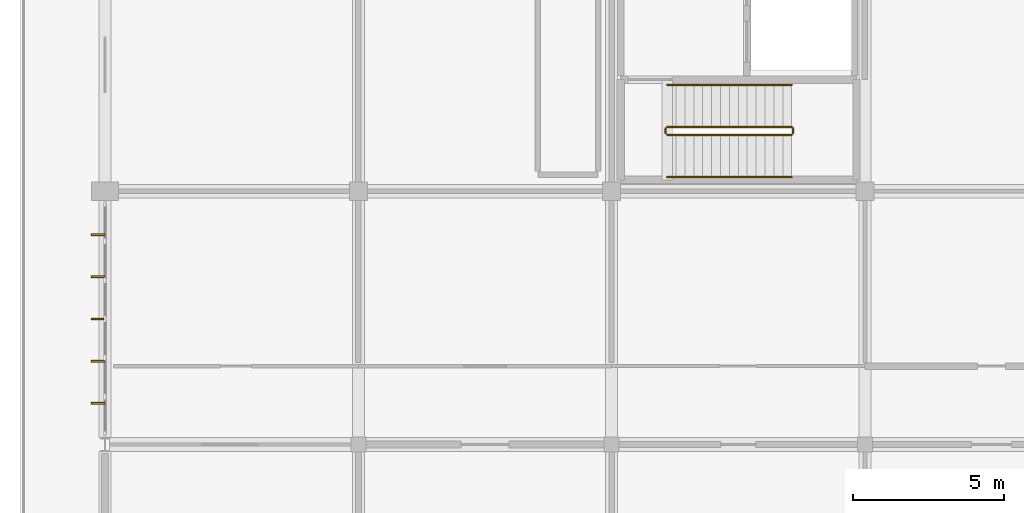
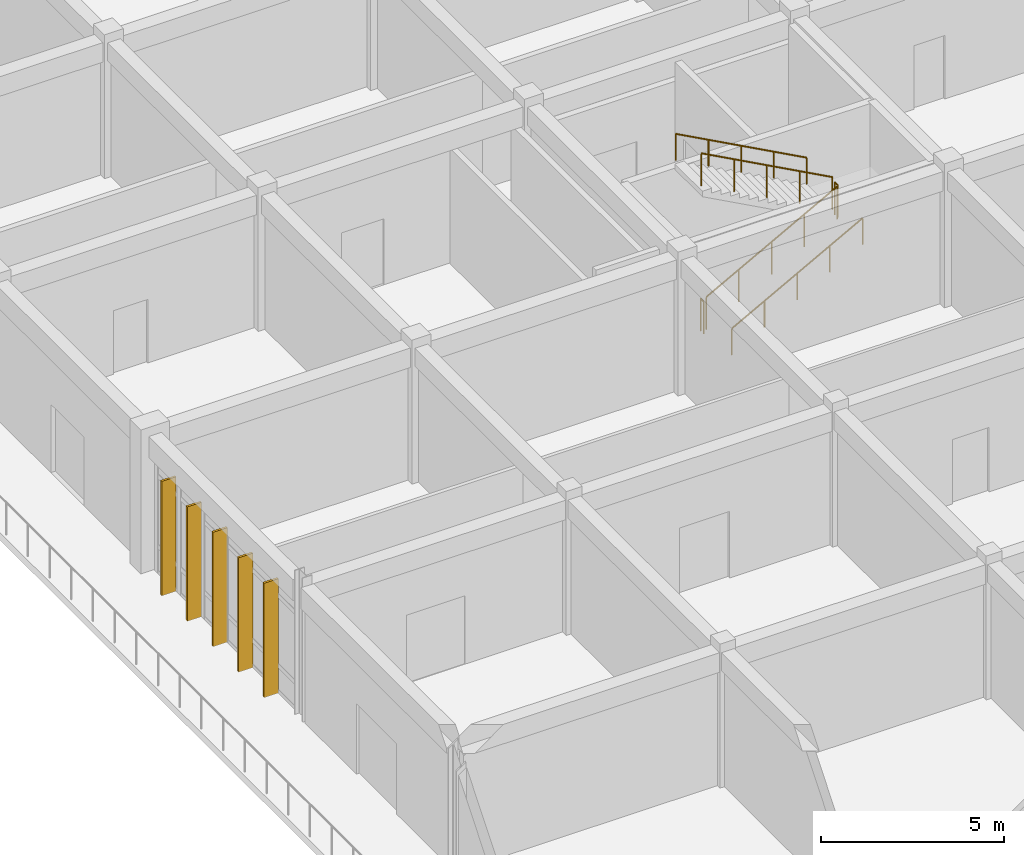
# One storey, part 118 of 138: 6 railings, 5 shading devices.
"""IFC4 building model written with IfcOpenShell, lengths in metres."""

import ifcopenshell
import ifcopenshell.guid

model = None  # the IFC model being written
_history = None  # IfcOwnerHistory: only IFC2X3 demands one
_inside = {}  # id of a spatial element -> (the spatial element, [elements in it])
_under = {}  # id of a project, library or spatial element -> (it, [spatial elements below it])
_declared = {}  # id of a project -> (the project, [libraries it declares])
_typed = {}  # id of a type object -> (the type object, [elements of that type])
_made_of = {}  # id of a material, layer set ... -> (it, [elements and type objects made of it])


def new_model(schema):
    """Start an empty IFC model of exactly this schema.

    Asked for "IFC4X3", IfcOpenShell would pick the latest addendum, in which some entities
    have other attributes; the version numbers below select the first issue.
    IFC2X3 requires an IfcOwnerHistory on every rooted entity: one is made here for all.
    """
    global model, _history
    if schema == "IFC4X3":
        model = ifcopenshell.file(schema_version=(4, 3, 0, 0))
    else:
        model = ifcopenshell.file(schema=schema)
    _inside.clear()
    _under.clear()
    _declared.clear()
    _typed.clear()
    _made_of.clear()
    _history = None
    if model.schema == "IFC2X3":
        org = make("IfcOrganization", Name="unknown")
        user = make(
            "IfcPersonAndOrganization",
            ThePerson=make("IfcPerson", FamilyName="unknown"),
            TheOrganization=org,
        )
        app = make(
            "IfcApplication",
            ApplicationDeveloper=org,
            Version="unknown",
            ApplicationFullName="unknown",
            ApplicationIdentifier="unknown",
        )
        _history = make(
            "IfcOwnerHistory",
            OwningUser=user,
            OwningApplication=app,
            ChangeAction="ADDED",
            CreationDate=0,
        )
    return model


def make(cls, **values):
    """One entity of the class cls with the attributes given. An attribute that is None is left unset."""
    return model.create_entity(
        cls, **{name: value for name, value in values.items() if value is not None}
    )


def rooted(cls, **values):
    """An entity with a GlobalId (a new one), such as an element, a storey or a relation."""
    return make(cls, GlobalId=ifcopenshell.guid.new(), OwnerHistory=_history, **values)


def si_unit(unit_type, name, prefix=None):
    """IfcSIUnit, for example si_unit("LENGTHUNIT", "METRE", prefix="MILLI")."""
    return make("IfcSIUnit", UnitType=unit_type, Prefix=prefix, Name=name)


def assignment(units):
    """IfcUnitAssignment: the units of a project."""
    return None if units is None else make("IfcUnitAssignment", Units=units)


def point(xyz):
    """IfcCartesianPoint."""
    return None if xyz is None else make("IfcCartesianPoint", Coordinates=xyz)


def direction(xyz):
    """IfcDirection."""
    return None if xyz is None else make("IfcDirection", DirectionRatios=xyz)


def frame(location, z_axis=None, x_axis=None):
    """IfcAxis2Placement3D, a coordinate frame: its origin and axes. An axis left out is left unset."""
    return make(
        "IfcAxis2Placement3D",
        Location=point(location),
        Axis=direction(z_axis),
        RefDirection=direction(x_axis),
    )


def frame_2d(location, x_axis=None):
    """IfcAxis2Placement2D, a coordinate frame in the plane: its origin and x axis."""
    return make(
        "IfcAxis2Placement2D", Location=point(location), RefDirection=direction(x_axis)
    )


def origin():
    """The frame at (0, 0, 0) with its axes left unset."""
    return frame((0.0, 0.0, 0.0))


def origin_2d():
    """The frame at (0, 0) in the plane with its x axis left unset."""
    return frame_2d((0.0, 0.0))


def place(relative_to, where):
    """IfcLocalPlacement: puts the frame where relative to a parent placement (None: the world)."""
    return make(
        "IfcLocalPlacement", PlacementRelTo=relative_to, RelativePlacement=where
    )


def context(
    kind, dimensions, precision=None, world=None, true_north=None, identifier=None
):
    """IfcGeometricRepresentationContext, for example the 3D "Model" context."""
    return make(
        "IfcGeometricRepresentationContext",
        ContextIdentifier=identifier,
        ContextType=kind,
        CoordinateSpaceDimension=dimensions,
        Precision=precision,
        WorldCoordinateSystem=world,
        TrueNorth=true_north,
    )


def subcontext(parent, identifier, kind, view, scale=None):
    """IfcGeometricRepresentationSubContext, for example "Body" below "Model"."""
    return make(
        "IfcGeometricRepresentationSubContext",
        ContextIdentifier=identifier,
        ContextType=kind,
        ParentContext=parent,
        TargetScale=scale,
        TargetView=view,
    )


def project(units=None, contexts=None):
    """IfcProject with its units and contexts."""
    return rooted(
        "IfcProject",
        Name="project",
        RepresentationContexts=contexts,
        UnitsInContext=assignment(units),
    )


def spatial(cls, under=None, at=None, **own):
    """A site, building, storey or space (cls), placed at a placement, below another one or the project."""
    s = rooted(cls, ObjectPlacement=at, **own)
    if under is not None:
        _under.setdefault(under.id(), (under, []))[1].append(s)
    return s


def profile(cls, at=None, kind="AREA", **sizes):
    """A parametric profile (cls). Its sizes go by their IFC names, for example OverallWidth=200.0."""
    return make(cls, ProfileType=kind, Position=at, **sizes)


def rectangle(**sizes):
    """IfcRectangleProfileDef."""
    return profile("IfcRectangleProfileDef", **sizes)


def circle(**sizes):
    """IfcCircleProfileDef."""
    return profile("IfcCircleProfileDef", **sizes)


def extrude(swept, where, along, depth):
    """IfcExtrudedAreaSolid: the profile swept, set in the frame where, extruded along a direction by depth."""
    return make(
        "IfcExtrudedAreaSolid",
        SweptArea=swept,
        Position=where,
        ExtrudedDirection=direction(along),
        Depth=depth,
    )


def shape(context_of_items, identifier, shape_type, items):
    """IfcShapeRepresentation: the items that make up one representation, for example the "Body"."""
    return make(
        "IfcShapeRepresentation",
        ContextOfItems=context_of_items,
        RepresentationIdentifier=identifier,
        RepresentationType=shape_type,
        Items=items,
    )


def material(Name=None, Category=None):
    """IfcMaterial."""
    return make("IfcMaterial", Name=Name, Category=Category)


def material_profile(
    of_material, cross_section, Name=None, Category=None, Priority=None
):
    """IfcMaterialProfile: a cross section and its material."""
    return make(
        "IfcMaterialProfile",
        Name=Name,
        Material=of_material,
        Profile=cross_section,
        Priority=Priority,
        Category=Category,
    )


def profile_set(profiles, Name=None, composite=None):
    """IfcMaterialProfileSet."""
    return make(
        "IfcMaterialProfileSet",
        Name=Name,
        MaterialProfiles=profiles,
        CompositeProfile=composite,
    )


def made_of(thing, what):
    """Note that an element or type object is made of a material, layer set ...; save() writes the relation."""
    if what is not None:
        _made_of.setdefault(what.id(), (what, []))[1].append(thing)
    return thing


def type_object(cls, material=None, **own):
    """A type object (cls), such as IfcWallType, which elements share."""
    return made_of(rooted(cls, **own), material)


def element(
    cls,
    number,
    at=None,
    inside=None,
    cuts=None,
    type_object=None,
    material=None,
    context=None,
    identifier="Body",
    shape_type=None,
    held_by="IfcProductDefinitionShape",
    body=None,
    shapes=None,
    **own,
):
    """One element of the class cls, such as IfcWall. Its Tag is "e" and its number.

    at: its placement. inside: the storey or other place that contains it. cuts: it is an
    opening in that element (IfcRelVoidsElement). A single representation is given by context,
    identifier, shape_type and body (its items); several are given by shapes. held_by: the class
    of the entity that holds the representations. save() writes the other relations.
    """
    e = rooted(cls, Tag="e%d" % number, ObjectPlacement=at, **own)
    if body is not None:
        shapes = [shape(context, identifier, shape_type, body)]
    if shapes is not None:
        e.Representation = make(held_by, Representations=shapes)
    if inside is not None:
        _inside.setdefault(inside.id(), (inside, []))[1].append(e)
    if cuts is not None:
        rooted(
            "IfcRelVoidsElement", RelatingBuildingElement=cuts, RelatedOpeningElement=e
        )
    if type_object is not None:
        _typed.setdefault(type_object.id(), (type_object, []))[1].append(e)
    return made_of(e, material)


def aggregate(whole, parts):
    """IfcRelAggregates: a whole, such as a stair, and the parts it consists of."""
    return rooted("IfcRelAggregates", RelatingObject=whole, RelatedObjects=parts)


def save(model, path):
    """Write the relations noted so far, then the file.

    IfcRelAggregates (storeys below a building ...), IfcRelContainedInSpatialStructure (elements
    in a storey), IfcRelDefinesByType, IfcRelAssociatesMaterial and IfcRelDeclares: one each for
    every whole, place, type object, material and project.
    """
    for whole, parts in _under.values():
        aggregate(whole, parts)
    for where, things in _inside.values():
        rooted(
            "IfcRelContainedInSpatialStructure",
            RelatedElements=things,
            RelatingStructure=where,
        )
    for kind, things in _typed.values():
        rooted("IfcRelDefinesByType", RelatedObjects=things, RelatingType=kind)
    for what, things in _made_of.values():
        rooted("IfcRelAssociatesMaterial", RelatedObjects=things, RelatingMaterial=what)
    for by, libraries in _declared.values():
        rooted("IfcRelDeclares", RelatingContext=by, RelatedDefinitions=libraries)
    model.write(path)


model = new_model("IFC4")

# Units and contexts
model_context = context("Model", 3, precision=1e-05, world=origin(), true_north=direction((0.0, 1.0)))
body_context = subcontext(model_context, "Body", "Model", "MODEL_VIEW")
ifc_project = project(units=[si_unit("LENGTHUNIT", "METRE"), si_unit("AREAUNIT", "SQUARE_METRE"), si_unit("VOLUMEUNIT", "CUBIC_METRE"), si_unit("PLANEANGLEUNIT", "RADIAN"), si_unit("MASSUNIT", "GRAM", prefix="KILO")], contexts=[model_context])

# Site, building, storey
site_placement = place(None, origin())
site = spatial("IfcSite", under=ifc_project, at=site_placement, CompositionType="ELEMENT")
building_placement = place(site_placement, origin())
building = spatial("IfcBuilding", under=site, at=building_placement, Name="Bramfleet General Hospital", CompositionType="ELEMENT")
storey_placement = place(building_placement, origin())
storey = spatial("IfcBuildingStorey", under=building, at=storey_placement, Name="L00", CompositionType="ELEMENT", Elevation=0.0)

# Railings
ifc_material_1 = material(Name="Powder-coated steel stair balustrade", Category="steel")
railing_type_1 = type_object("IfcRailingType", Name="RAIL-ST-GUARD", PredefinedType="GUARDRAIL", material=ifc_material_1)
railing_1_placement = place(storey_placement, frame((18.639892578125, 52.27001953125, 0.159912109375)))
element("IfcRailing", 1, at=railing_1_placement, inside=storey, type_object=railing_type_1, Name="L00 ST-C2 stair guard 1", PredefinedType="GUARDRAIL", context=body_context, shape_type="SweptSolid", body=[
    extrude(circle(Radius=0.02392578125, at=origin_2d()), frame((0.0, 0.0, 1.076171875), z_axis=(0.879038868435, 0.0, 0.476750110415), x_axis=(0.0, 1.0, 0.0)), (0.0, 0.0, 1.0), 4.698486328125),
    extrude(circle(Radius=0.02099609375, at=origin_2d()), origin(), (0.0, 0.0, 1.0), 1.052001953125),
    extrude(circle(Radius=0.02099609375, at=origin_2d()), frame((1.032470703125, 0.0, 0.56005859375)), (0.0, 0.0, 1.0), 1.052001953125),
    extrude(circle(Radius=0.02099609375, at=origin_2d()), frame((2.06494140625, 0.0, 1.1201171875)), (0.0, 0.0, 1.0), 1.052001953125),
    extrude(circle(Radius=0.02099609375, at=origin_2d()), frame((3.09765625, 0.0, 1.679931640625)), (0.0, 0.0, 1.0), 1.052001953125),
    extrude(circle(Radius=0.02099609375, at=origin_2d()), frame((4.130126953125, 0.0, 2.239990234375)), (0.0, 0.0, 1.0), 1.052001953125),
])
railing_2_placement = place(storey_placement, frame((22.820068359375, 52.320068359375, 2.39990234375)))
element("IfcRailing", 2, at=railing_2_placement, inside=storey, type_object=railing_type_1, Name="L00 ST-C2 stair guard 2", PredefinedType="GUARDRAIL", context=body_context, shape_type="SweptSolid", body=[
    extrude(circle(Radius=0.02392578125, at=origin_2d()), frame((0.0, 0.0, 1.076171875), z_axis=(0.0, 1.0, 0.0), x_axis=(-1.0, 0.0, 0.0)), (0.0, 0.0, 1.0), 0.159912109375),
    extrude(circle(Radius=0.02099609375, at=origin_2d()), origin(), (0.0, 0.0, 1.0), 1.052001953125),
    extrude(circle(Radius=0.02099609375, at=origin_2d()), frame((0.0, 0.159912109375, 0.0)), (0.0, 0.0, 1.0), 1.052001953125),
])
railing_3_placement = place(storey_placement, frame((22.77001953125, 52.530029296875, 2.56005859375)))
element("IfcRailing", 3, at=railing_3_placement, inside=storey, type_object=railing_type_1, Name="L00 ST-C2 stair guard 3", PredefinedType="GUARDRAIL", context=body_context, shape_type="SweptSolid", body=[
    extrude(circle(Radius=0.02392578125, at=origin_2d()), frame((0.0, 0.0, 1.076171875), z_axis=(-0.879038868435, 0.0, 0.476750110415), x_axis=(0.0, -1.0, 0.0)), (0.0, 0.0, 1.0), 4.698486328125),
    extrude(circle(Radius=0.02099609375, at=origin_2d()), origin(), (0.0, 0.0, 1.0), 1.052001953125),
    extrude(circle(Radius=0.02099609375, at=origin_2d()), frame((-1.032470703125, 0.0, 0.56005859375)), (0.0, 0.0, 1.0), 1.052001953125),
    extrude(circle(Radius=0.02099609375, at=origin_2d()), frame((-2.06494140625, 0.0, 1.1201171875)), (0.0, 0.0, 1.0), 1.052001953125),
    extrude(circle(Radius=0.02099609375, at=origin_2d()), frame((-3.09765625, 0.0, 1.679931640625)), (0.0, 0.0, 1.0), 1.052001953125),
    extrude(circle(Radius=0.02099609375, at=origin_2d()), frame((-4.130126953125, 0.0, 2.239990234375)), (0.0, 0.0, 1.0), 1.052001953125),
])
railing_4_placement = place(storey_placement, frame((18.590087890625, 52.320068359375, 0.0)))
element("IfcRailing", 4, at=railing_4_placement, inside=storey, type_object=railing_type_1, Name="L00 ST-C2 stair guard 4", PredefinedType="GUARDRAIL", context=body_context, shape_type="SweptSolid", body=[
    extrude(circle(Radius=0.02392578125, at=origin_2d()), frame((0.0, 0.0, 1.076171875), z_axis=(0.0, 1.0, 0.0), x_axis=(-1.0, 0.0, 0.0)), (0.0, 0.0, 1.0), 0.159912109375),
    extrude(circle(Radius=0.02099609375, at=origin_2d()), origin(), (0.0, 0.0, 1.0), 1.052001953125),
    extrude(circle(Radius=0.02099609375, at=origin_2d()), frame((0.0, 0.159912109375, 0.0)), (0.0, 0.0, 1.0), 1.052001953125),
])
ifc_material_2 = material(Name="Stainless steel 1.4301 stair handrail", Category="steel")
railing_type_2 = type_object("IfcRailingType", Name="RAIL-ST-HND", PredefinedType="HANDRAIL", material=ifc_material_2)
railing_5_placement = place(storey_placement, frame((18.639892578125, 50.8701171875, 0.159912109375)))
element("IfcRailing", 5, at=railing_5_placement, inside=storey, type_object=railing_type_2, Name="L00 ST-C2 stair handrail 1", PredefinedType="HANDRAIL", context=body_context, shape_type="SweptSolid", body=[
    extrude(circle(Radius=0.02392578125, at=origin_2d()), frame((0.0, 0.0, 0.8759765625), z_axis=(0.879038868435, 0.0, 0.476750110415), x_axis=(0.0, 1.0, 0.0)), (0.0, 0.0, 1.0), 4.698486328125),
    extrude(circle(Radius=0.02099609375, at=origin_2d()), origin(), (0.0, 0.0, 1.0), 0.851806640625),
    extrude(circle(Radius=0.02099609375, at=origin_2d()), frame((1.032470703125, 0.0, 0.56005859375)), (0.0, 0.0, 1.0), 0.851806640625),
    extrude(circle(Radius=0.02099609375, at=origin_2d()), frame((2.06494140625, 0.0, 1.1201171875)), (0.0, 0.0, 1.0), 0.851806640625),
    extrude(circle(Radius=0.02099609375, at=origin_2d()), frame((3.09765625, 0.0, 1.679931640625)), (0.0, 0.0, 1.0), 0.851806640625),
    extrude(circle(Radius=0.02099609375, at=origin_2d()), frame((4.130126953125, 0.0, 2.239990234375)), (0.0, 0.0, 1.0), 0.851806640625),
])
railing_6_placement = place(storey_placement, frame((22.77001953125, 53.929931640625, 2.56005859375)))
element("IfcRailing", 6, at=railing_6_placement, inside=storey, type_object=railing_type_2, Name="L00 ST-C2 stair handrail 2", PredefinedType="HANDRAIL", context=body_context, shape_type="SweptSolid", body=[
    extrude(circle(Radius=0.02392578125, at=origin_2d()), frame((0.0, 0.0, 0.8759765625), z_axis=(-0.879038868435, 0.0, 0.476750110415), x_axis=(0.0, -1.0, 0.0)), (0.0, 0.0, 1.0), 4.698486328125),
    extrude(circle(Radius=0.02099609375, at=origin_2d()), origin(), (0.0, 0.0, 1.0), 0.851806640625),
    extrude(circle(Radius=0.02099609375, at=origin_2d()), frame((-1.032470703125, 0.0, 0.56005859375)), (0.0, 0.0, 1.0), 0.851806640625),
    extrude(circle(Radius=0.02099609375, at=origin_2d()), frame((-2.06494140625, 0.0, 1.1201171875)), (0.0, 0.0, 1.0), 0.851806640625),
    extrude(circle(Radius=0.02099609375, at=origin_2d()), frame((-3.09765625, 0.0, 1.679931640625)), (0.0, 0.0, 1.0), 0.851806640625),
    extrude(circle(Radius=0.02099609375, at=origin_2d()), frame((-4.130126953125, 0.0, 2.239990234375)), (0.0, 0.0, 1.0), 0.851806640625),
])

# Shading devices
ifc_material_3 = material(Name="Treated European larch timber", Category="wood")
ifc_material_profile = material_profile(ifc_material_3, rectangle(XDim=0.06494140625, YDim=0.449951171875, at=origin_2d()), Name="LARCH FIN 450x65")
ifc_profile_set = profile_set([ifc_material_profile], Name="Treated European larch timber")
shading_device_type = type_object("IfcShadingDeviceType", Name="SHD-FIN-450", PredefinedType="USERDEFINED", material=ifc_profile_set)
for number, where, z_axis, x_axis, name in (
    (7, (-0.239990234375, 43.362548828125, -0.02001953125), (0.0, 0.0, 1.0), (0.0, 1.0, 0.0), "L00 Larch Timber Shading Fin 1"),
    (8, (-0.239990234375, 44.762451171875, -0.02001953125), (0.0, 0.0, 1.0), (0.0, 1.0, 0.0), "L00 Larch Timber Shading Fin 2"),
    (9, (-0.239990234375, 46.16259765625, -0.02001953125), (0.0, 0.0, 1.0), (0.0, 1.0, 0.0), "L00 Larch Timber Shading Fin 3"),
    (10, (-0.239990234375, 47.5625, -0.02001953125), (0.0, 0.0, 1.0), (0.0, 1.0, 0.0), "L00 Larch Timber Shading Fin 4"),
    (11, (-0.239990234375, 48.96240234375, -0.02001953125), (0.0, 0.0, 1.0), (0.0, 1.0, 0.0), "L00 Larch Timber Shading Fin 5"),
):
    element("IfcShadingDevice", number, at=place(storey_placement, frame(where, z_axis=z_axis, x_axis=x_axis)), inside=storey, type_object=shading_device_type, Name=name, ObjectType="Fin", PredefinedType="USERDEFINED", context=body_context, shape_type="SweptSolid", body=[
        extrude(rectangle(XDim=0.06494140625, YDim=0.449951171875, at=origin_2d()), origin(), (0.0, 0.0, 1.0), 3.820068359375),
    ])

save(model, "model.ifc")
